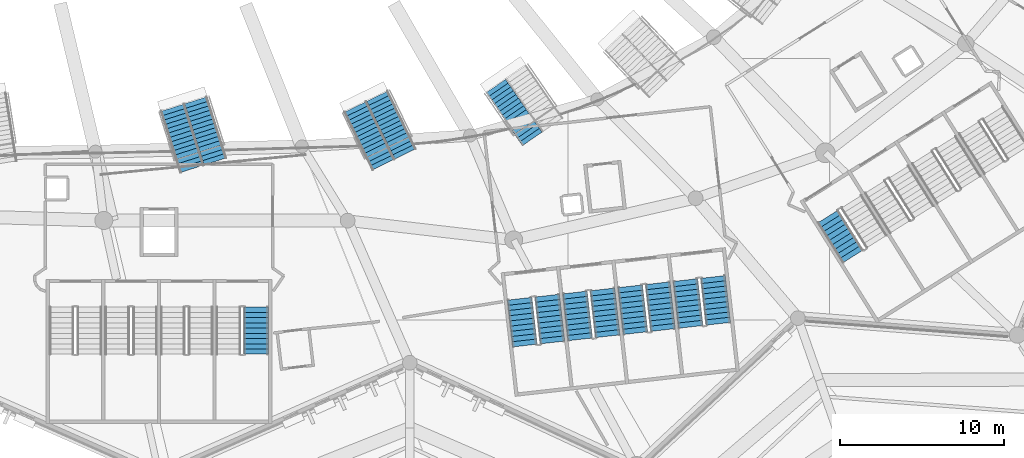
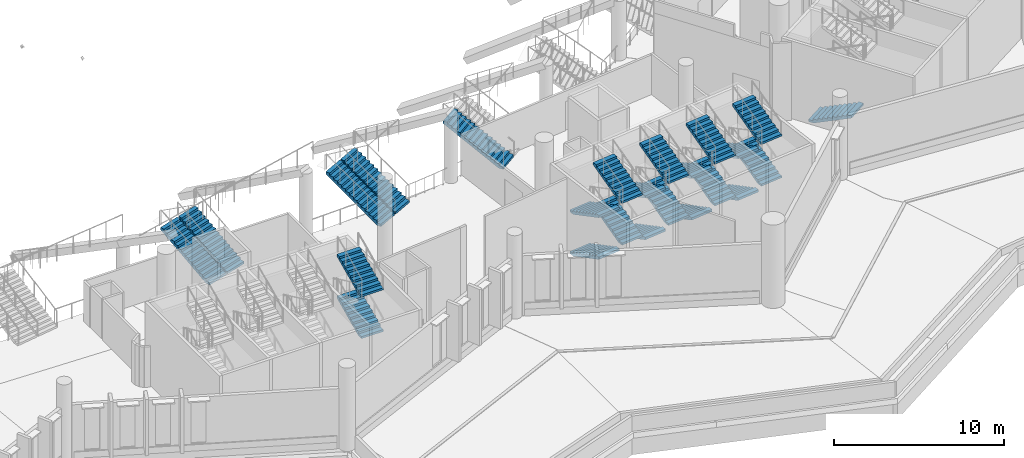
# One storey, part 87 of 173: 24 stair flights, 9 elements without a shape of their own.
"""IFC4 building model written with IfcOpenShell, lengths in metres."""

import ifcopenshell
import ifcopenshell.guid

model = None  # the IFC model being written
_history = None  # IfcOwnerHistory: only IFC2X3 demands one
_inside = {}  # id of a spatial element -> (the spatial element, [elements in it])
_under = {}  # id of a project, library or spatial element -> (it, [spatial elements below it])
_declared = {}  # id of a project -> (the project, [libraries it declares])
_typed = {}  # id of a type object -> (the type object, [elements of that type])
_made_of = {}  # id of a material, layer set ... -> (it, [elements and type objects made of it])


def new_model(schema):
    """Start an empty IFC model of exactly this schema.

    Asked for "IFC4X3", IfcOpenShell would pick the latest addendum, in which some entities
    have other attributes; the version numbers below select the first issue.
    IFC2X3 requires an IfcOwnerHistory on every rooted entity: one is made here for all.
    """
    global model, _history
    if schema == "IFC4X3":
        model = ifcopenshell.file(schema_version=(4, 3, 0, 0))
    else:
        model = ifcopenshell.file(schema=schema)
    _inside.clear()
    _under.clear()
    _declared.clear()
    _typed.clear()
    _made_of.clear()
    _history = None
    if model.schema == "IFC2X3":
        org = make("IfcOrganization", Name="unknown")
        user = make(
            "IfcPersonAndOrganization",
            ThePerson=make("IfcPerson", FamilyName="unknown"),
            TheOrganization=org,
        )
        app = make(
            "IfcApplication",
            ApplicationDeveloper=org,
            Version="unknown",
            ApplicationFullName="unknown",
            ApplicationIdentifier="unknown",
        )
        _history = make(
            "IfcOwnerHistory",
            OwningUser=user,
            OwningApplication=app,
            ChangeAction="ADDED",
            CreationDate=0,
        )
    return model


def make(cls, **values):
    """One entity of the class cls with the attributes given. An attribute that is None is left unset."""
    return model.create_entity(
        cls, **{name: value for name, value in values.items() if value is not None}
    )


def rooted(cls, **values):
    """An entity with a GlobalId (a new one), such as an element, a storey or a relation."""
    return make(cls, GlobalId=ifcopenshell.guid.new(), OwnerHistory=_history, **values)


def si_unit(unit_type, name, prefix=None):
    """IfcSIUnit, for example si_unit("LENGTHUNIT", "METRE", prefix="MILLI")."""
    return make("IfcSIUnit", UnitType=unit_type, Prefix=prefix, Name=name)


def assignment(units):
    """IfcUnitAssignment: the units of a project."""
    return None if units is None else make("IfcUnitAssignment", Units=units)


def point(xyz):
    """IfcCartesianPoint."""
    return None if xyz is None else make("IfcCartesianPoint", Coordinates=xyz)


def direction(xyz):
    """IfcDirection."""
    return None if xyz is None else make("IfcDirection", DirectionRatios=xyz)


def frame(location, z_axis=None, x_axis=None):
    """IfcAxis2Placement3D, a coordinate frame: its origin and axes. An axis left out is left unset."""
    return make(
        "IfcAxis2Placement3D",
        Location=point(location),
        Axis=direction(z_axis),
        RefDirection=direction(x_axis),
    )


def origin():
    """The frame at (0, 0, 0) with its axes left unset."""
    return frame((0.0, 0.0, 0.0))


def place(relative_to, where):
    """IfcLocalPlacement: puts the frame where relative to a parent placement (None: the world)."""
    return make(
        "IfcLocalPlacement", PlacementRelTo=relative_to, RelativePlacement=where
    )


def context(
    kind, dimensions, precision=None, world=None, true_north=None, identifier=None
):
    """IfcGeometricRepresentationContext, for example the 3D "Model" context."""
    return make(
        "IfcGeometricRepresentationContext",
        ContextIdentifier=identifier,
        ContextType=kind,
        CoordinateSpaceDimension=dimensions,
        Precision=precision,
        WorldCoordinateSystem=world,
        TrueNorth=true_north,
    )


def subcontext(parent, identifier, kind, view, scale=None):
    """IfcGeometricRepresentationSubContext, for example "Body" below "Model"."""
    return make(
        "IfcGeometricRepresentationSubContext",
        ContextIdentifier=identifier,
        ContextType=kind,
        ParentContext=parent,
        TargetScale=scale,
        TargetView=view,
    )


def project(units=None, contexts=None):
    """IfcProject with its units and contexts."""
    return rooted(
        "IfcProject",
        Name="project",
        RepresentationContexts=contexts,
        UnitsInContext=assignment(units),
    )


def spatial(cls, under=None, at=None, **own):
    """A site, building, storey or space (cls), placed at a placement, below another one or the project."""
    s = rooted(cls, ObjectPlacement=at, **own)
    if under is not None:
        _under.setdefault(under.id(), (under, []))[1].append(s)
    return s


def polyline(points):
    """IfcPolyline through the points."""
    return make("IfcPolyline", Points=[point(p) for p in points])


def outline(outer, holes=None, kind="AREA"):
    """IfcArbitraryClosedProfileDef: a profile drawn as a closed curve; with holes, ...WithVoids."""
    if holes is None:
        return make("IfcArbitraryClosedProfileDef", ProfileType=kind, OuterCurve=outer)
    return make(
        "IfcArbitraryProfileDefWithVoids",
        ProfileType=kind,
        OuterCurve=outer,
        InnerCurves=holes,
    )


def extrude(swept, where, along, depth):
    """IfcExtrudedAreaSolid: the profile swept, set in the frame where, extruded along a direction by depth."""
    return make(
        "IfcExtrudedAreaSolid",
        SweptArea=swept,
        Position=where,
        ExtrudedDirection=direction(along),
        Depth=depth,
    )


def shape(context_of_items, identifier, shape_type, items):
    """IfcShapeRepresentation: the items that make up one representation, for example the "Body"."""
    return make(
        "IfcShapeRepresentation",
        ContextOfItems=context_of_items,
        RepresentationIdentifier=identifier,
        RepresentationType=shape_type,
        Items=items,
    )


def material(Name=None, Category=None):
    """IfcMaterial."""
    return make("IfcMaterial", Name=Name, Category=Category)


def made_of(thing, what):
    """Note that an element or type object is made of a material, layer set ...; save() writes the relation."""
    if what is not None:
        _made_of.setdefault(what.id(), (what, []))[1].append(thing)
    return thing


def type_object(cls, material=None, **own):
    """A type object (cls), such as IfcWallType, which elements share."""
    return made_of(rooted(cls, **own), material)


def element(
    cls,
    number,
    at=None,
    inside=None,
    cuts=None,
    type_object=None,
    material=None,
    context=None,
    identifier="Body",
    shape_type=None,
    held_by="IfcProductDefinitionShape",
    body=None,
    shapes=None,
    **own,
):
    """One element of the class cls, such as IfcWall. Its Tag is "e" and its number.

    at: its placement. inside: the storey or other place that contains it. cuts: it is an
    opening in that element (IfcRelVoidsElement). A single representation is given by context,
    identifier, shape_type and body (its items); several are given by shapes. held_by: the class
    of the entity that holds the representations. save() writes the other relations.
    """
    e = rooted(cls, Tag="e%d" % number, ObjectPlacement=at, **own)
    if body is not None:
        shapes = [shape(context, identifier, shape_type, body)]
    if shapes is not None:
        e.Representation = make(held_by, Representations=shapes)
    if inside is not None:
        _inside.setdefault(inside.id(), (inside, []))[1].append(e)
    if cuts is not None:
        rooted(
            "IfcRelVoidsElement", RelatingBuildingElement=cuts, RelatedOpeningElement=e
        )
    if type_object is not None:
        _typed.setdefault(type_object.id(), (type_object, []))[1].append(e)
    return made_of(e, material)


def aggregate(whole, parts):
    """IfcRelAggregates: a whole, such as a stair, and the parts it consists of."""
    return rooted("IfcRelAggregates", RelatingObject=whole, RelatedObjects=parts)


def save(model, path):
    """Write the relations noted so far, then the file.

    IfcRelAggregates (storeys below a building ...), IfcRelContainedInSpatialStructure (elements
    in a storey), IfcRelDefinesByType, IfcRelAssociatesMaterial and IfcRelDeclares: one each for
    every whole, place, type object, material and project.
    """
    for whole, parts in _under.values():
        aggregate(whole, parts)
    for where, things in _inside.values():
        rooted(
            "IfcRelContainedInSpatialStructure",
            RelatedElements=things,
            RelatingStructure=where,
        )
    for kind, things in _typed.values():
        rooted("IfcRelDefinesByType", RelatedObjects=things, RelatingType=kind)
    for what, things in _made_of.values():
        rooted("IfcRelAssociatesMaterial", RelatedObjects=things, RelatingMaterial=what)
    for by, libraries in _declared.values():
        rooted("IfcRelDeclares", RelatingContext=by, RelatedDefinitions=libraries)
    model.write(path)


model = new_model("IFC4")

# Units and contexts
model_context = context("Model", 3, precision=1e-05, world=origin(), true_north=direction((0.0, 1.0)))
body_context = subcontext(model_context, "Body", "Model", "MODEL_VIEW")
ifc_project = project(units=[si_unit("LENGTHUNIT", "METRE"), si_unit("AREAUNIT", "SQUARE_METRE"), si_unit("VOLUMEUNIT", "CUBIC_METRE"), si_unit("PLANEANGLEUNIT", "RADIAN"), si_unit("MASSUNIT", "GRAM", prefix="KILO")], contexts=[model_context])

# Site, building, storey
site_placement = place(None, origin())
site = spatial("IfcSite", under=ifc_project, at=site_placement, CompositionType="ELEMENT")
building_placement = place(site_placement, origin())
building = spatial("IfcBuilding", under=site, at=building_placement, Name="Meseta Stadium", CompositionType="ELEMENT")
storey_placement = place(building_placement, frame((0.0, 0.0, 18.0)))
storey = spatial("IfcBuildingStorey", under=building, at=storey_placement, Name="L03", CompositionType="ELEMENT", Elevation=18.0)

# Stair, stair flights
ifc_material_1 = material(Name="Concrete C40/50", Category="concrete")
stair_type_1 = type_object("IfcStairType", Name="Exit stair 4 flights 150 mm risers", PredefinedType="HALF_TURN_STAIR", material=ifc_material_1)
stair_1_placement = place(storey_placement, origin())
stair_1 = element("IfcStair", 1, at=stair_1_placement, inside=storey, type_object=stair_type_1, Name="ST100 L03", PredefinedType="HALF_TURN_STAIR")
ifc_material_2 = material(Name="Concrete C40/50", Category="concrete")
stair_flight_type_1 = type_object("IfcStairFlightType", Name="Exit stair flight 150 mm risers, 4 per storey", PredefinedType="STRAIGHT", material=ifc_material_2)
stair_flight_1_placement = place(storey_placement, frame((28.949951171875, -98.080078125, 1.5), z_axis=(0.0, 0.0, 1.0), x_axis=(0.0, 1.0, 0.0)))
stair_flight_1 = element("IfcStairFlight", 2, at=stair_flight_1_placement, type_object=stair_flight_type_1, Name="ST100 L03 flight 2", NumberOfRisers=10, NumberOfTreads=9, PredefinedType="STRAIGHT", RiserHeight=0.15, TreadLength=0.32, context=body_context, shape_type="SweptSolid", body=[
    extrude(outline(polyline([(0.0, 0.0), (0.0, 0.14990234375), (0.320068359375, 0.14990234375), (0.320068359375, 0.300048828125), (0.639892578125, 0.300048828125), (0.639892578125, 0.449951171875), (0.9599609375, 0.449951171875), (0.9599609375, 0.60009765625), (1.280029296875, 0.60009765625), (1.280029296875, 0.75), (1.60009765625, 0.75), (1.60009765625, 0.89990234375), (1.919921875, 0.89990234375), (1.919921875, 1.050048828125), (2.239990234375, 1.050048828125), (2.239990234375, 1.199951171875), (2.56005859375, 1.199951171875), (2.56005859375, 1.35009765625), (2.8798828125, 1.35009765625), (2.8798828125, 1.184326171875), (0.353271484375, 0.0), (0.0, 0.0)])), frame((0.0, 0.75, 0.0), z_axis=(0.0, -1.0, 0.0), x_axis=(1.0, 0.0, 0.0)), (0.0, 0.0, 1.0), 1.5),
])
stair_flight_2_placement = place(storey_placement, frame((28.949951171875, -98.080078125, 4.5), z_axis=(0.0, 0.0, 1.0), x_axis=(0.0, 1.0, 0.0)))
stair_flight_2 = element("IfcStairFlight", 3, at=stair_flight_2_placement, type_object=stair_flight_type_1, Name="ST100 L03 flight 4", NumberOfRisers=10, NumberOfTreads=9, PredefinedType="STRAIGHT", RiserHeight=0.15, TreadLength=0.32, context=body_context, shape_type="SweptSolid", body=[
    extrude(outline(polyline([(0.0, 0.0), (0.0, 0.14990234375), (0.320068359375, 0.14990234375), (0.320068359375, 0.300048828125), (0.639892578125, 0.300048828125), (0.639892578125, 0.449951171875), (0.9599609375, 0.449951171875), (0.9599609375, 0.60009765625), (1.280029296875, 0.60009765625), (1.280029296875, 0.75), (1.60009765625, 0.75), (1.60009765625, 0.89990234375), (1.919921875, 0.89990234375), (1.919921875, 1.050048828125), (2.239990234375, 1.050048828125), (2.239990234375, 1.199951171875), (2.56005859375, 1.199951171875), (2.56005859375, 1.35009765625), (2.8798828125, 1.35009765625), (2.8798828125, 1.184326171875), (0.353271484375, 0.0), (0.0, 0.0)])), frame((0.0, 0.75, 0.0), z_axis=(0.0, -1.0, 0.0), x_axis=(1.0, 0.0, 0.0)), (0.0, 0.0, 1.0), 1.5),
])
aggregate(stair_1, [stair_flight_1, stair_flight_2])

stair_2_placement = place(storey_placement, origin())
stair_2 = element("IfcStair", 4, at=stair_2_placement, inside=storey, type_object=stair_type_1, Name="ST101 L03", PredefinedType="HALF_TURN_STAIR")
stair_flight_3_placement = place(storey_placement, frame((45.04736328125, -94.687744140625, 0.0), z_axis=(0.0, 0.0, 1.0), x_axis=(0.11196446867, -0.993712210731, 0.0)))
stair_flight_3 = element("IfcStairFlight", 5, at=stair_flight_3_placement, type_object=stair_flight_type_1, Name="ST101 L03 flight 1", NumberOfRisers=10, NumberOfTreads=9, PredefinedType="STRAIGHT", RiserHeight=0.15, TreadLength=0.32, context=body_context, shape_type="SweptSolid", body=[
    extrude(outline(polyline([(0.0, 0.0), (0.0, 0.14990234375), (0.320068359375, 0.14990234375), (0.320068359375, 0.300048828125), (0.639892578125, 0.300048828125), (0.639892578125, 0.449951171875), (0.9599609375, 0.449951171875), (0.9599609375, 0.60009765625), (1.280029296875, 0.60009765625), (1.280029296875, 0.75), (1.60009765625, 0.75), (1.60009765625, 0.89990234375), (1.919921875, 0.89990234375), (1.919921875, 1.050048828125), (2.239990234375, 1.050048828125), (2.239990234375, 1.199951171875), (2.56005859375, 1.199951171875), (2.56005859375, 1.35009765625), (2.8798828125, 1.35009765625), (2.8798828125, 1.184326171875), (0.353271484375, 0.0), (0.0, 0.0)])), frame((0.0, 0.75, 0.0), z_axis=(0.0, -1.0, 0.0), x_axis=(1.0, 0.0, 0.0)), (0.0, 0.0, 1.0), 1.5),
])
stair_flight_4_placement = place(storey_placement, frame((47.059326171875, -97.359130859375, 1.5), z_axis=(0.0, 0.0, 1.0), x_axis=(-0.11196446867, 0.993712210731, 0.0)))
stair_flight_4 = element("IfcStairFlight", 6, at=stair_flight_4_placement, type_object=stair_flight_type_1, Name="ST101 L03 flight 2", NumberOfRisers=10, NumberOfTreads=9, PredefinedType="STRAIGHT", RiserHeight=0.15, TreadLength=0.32, context=body_context, shape_type="SweptSolid", body=[
    extrude(outline(polyline([(0.0, 0.0), (0.0, 0.14990234375), (0.320068359375, 0.14990234375), (0.320068359375, 0.300048828125), (0.639892578125, 0.300048828125), (0.639892578125, 0.449951171875), (0.9599609375, 0.449951171875), (0.9599609375, 0.60009765625), (1.280029296875, 0.60009765625), (1.280029296875, 0.75), (1.60009765625, 0.75), (1.60009765625, 0.89990234375), (1.919921875, 0.89990234375), (1.919921875, 1.050048828125), (2.239990234375, 1.050048828125), (2.239990234375, 1.199951171875), (2.56005859375, 1.199951171875), (2.56005859375, 1.35009765625), (2.8798828125, 1.35009765625), (2.8798828125, 1.184326171875), (0.353271484375, 0.0), (0.0, 0.0)])), frame((0.0, 0.75, 0.0), z_axis=(0.0, -1.0, 0.0), x_axis=(1.0, 0.0, 0.0)), (0.0, 0.0, 1.0), 1.5),
])
stair_flight_5_placement = place(storey_placement, frame((45.04736328125, -94.687744140625, 3.0), z_axis=(0.0, 0.0, 1.0), x_axis=(0.11196446867, -0.993712210731, 0.0)))
stair_flight_5 = element("IfcStairFlight", 7, at=stair_flight_5_placement, type_object=stair_flight_type_1, Name="ST101 L03 flight 3", NumberOfRisers=10, NumberOfTreads=9, PredefinedType="STRAIGHT", RiserHeight=0.15, TreadLength=0.32, context=body_context, shape_type="SweptSolid", body=[
    extrude(outline(polyline([(0.0, 0.0), (0.0, 0.14990234375), (0.320068359375, 0.14990234375), (0.320068359375, 0.300048828125), (0.639892578125, 0.300048828125), (0.639892578125, 0.449951171875), (0.9599609375, 0.449951171875), (0.9599609375, 0.60009765625), (1.280029296875, 0.60009765625), (1.280029296875, 0.75), (1.60009765625, 0.75), (1.60009765625, 0.89990234375), (1.919921875, 0.89990234375), (1.919921875, 1.050048828125), (2.239990234375, 1.050048828125), (2.239990234375, 1.199951171875), (2.56005859375, 1.199951171875), (2.56005859375, 1.35009765625), (2.8798828125, 1.35009765625), (2.8798828125, 1.184326171875), (0.353271484375, 0.0), (0.0, 0.0)])), frame((0.0, 0.75, 0.0), z_axis=(0.0, -1.0, 0.0), x_axis=(1.0, 0.0, 0.0)), (0.0, 0.0, 1.0), 1.5),
])
stair_flight_6_placement = place(storey_placement, frame((47.059326171875, -97.359130859375, 4.5), z_axis=(0.0, 0.0, 1.0), x_axis=(-0.11196446867, 0.993712210731, 0.0)))
stair_flight_6 = element("IfcStairFlight", 8, at=stair_flight_6_placement, type_object=stair_flight_type_1, Name="ST101 L03 flight 4", NumberOfRisers=10, NumberOfTreads=9, PredefinedType="STRAIGHT", RiserHeight=0.15, TreadLength=0.32, context=body_context, shape_type="SweptSolid", body=[
    extrude(outline(polyline([(0.0, 0.0), (0.0, 0.14990234375), (0.320068359375, 0.14990234375), (0.320068359375, 0.300048828125), (0.639892578125, 0.300048828125), (0.639892578125, 0.449951171875), (0.9599609375, 0.449951171875), (0.9599609375, 0.60009765625), (1.280029296875, 0.60009765625), (1.280029296875, 0.75), (1.60009765625, 0.75), (1.60009765625, 0.89990234375), (1.919921875, 0.89990234375), (1.919921875, 1.050048828125), (2.239990234375, 1.050048828125), (2.239990234375, 1.199951171875), (2.56005859375, 1.199951171875), (2.56005859375, 1.35009765625), (2.8798828125, 1.35009765625), (2.8798828125, 1.184326171875), (0.353271484375, 0.0), (0.0, 0.0)])), frame((0.0, 0.75, 0.0), z_axis=(0.0, -1.0, 0.0), x_axis=(1.0, 0.0, 0.0)), (0.0, 0.0, 1.0), 1.5),
])
aggregate(stair_2, [stair_flight_3, stair_flight_4, stair_flight_5, stair_flight_6])

stair_3_placement = place(storey_placement, origin())
stair_3 = element("IfcStair", 9, at=stair_3_placement, inside=storey, type_object=stair_type_1, Name="ST102 L03", PredefinedType="HALF_TURN_STAIR")
stair_flight_7_placement = place(storey_placement, frame((48.426025390625, -94.306884765625, 0.0), z_axis=(0.0, 0.0, 1.0), x_axis=(0.11196446867, -0.993712210731, 0.0)))
stair_flight_7 = element("IfcStairFlight", 10, at=stair_flight_7_placement, type_object=stair_flight_type_1, Name="ST102 L03 flight 1", NumberOfRisers=10, NumberOfTreads=9, PredefinedType="STRAIGHT", RiserHeight=0.15, TreadLength=0.32, context=body_context, shape_type="SweptSolid", body=[
    extrude(outline(polyline([(0.0, 0.0), (0.0, 0.14990234375), (0.320068359375, 0.14990234375), (0.320068359375, 0.300048828125), (0.639892578125, 0.300048828125), (0.639892578125, 0.449951171875), (0.9599609375, 0.449951171875), (0.9599609375, 0.60009765625), (1.280029296875, 0.60009765625), (1.280029296875, 0.75), (1.60009765625, 0.75), (1.60009765625, 0.89990234375), (1.919921875, 0.89990234375), (1.919921875, 1.050048828125), (2.239990234375, 1.050048828125), (2.239990234375, 1.199951171875), (2.56005859375, 1.199951171875), (2.56005859375, 1.35009765625), (2.8798828125, 1.35009765625), (2.8798828125, 1.184326171875), (0.353271484375, 0.0), (0.0, 0.0)])), frame((0.0, 0.75, 0.0), z_axis=(0.0, -1.0, 0.0), x_axis=(1.0, 0.0, 0.0)), (0.0, 0.0, 1.0), 1.5),
])
stair_flight_8_placement = place(storey_placement, frame((50.437744140625, -96.978515625, 1.5), z_axis=(0.0, 0.0, 1.0), x_axis=(-0.11196446867, 0.993712210731, 0.0)))
stair_flight_8 = element("IfcStairFlight", 11, at=stair_flight_8_placement, type_object=stair_flight_type_1, Name="ST102 L03 flight 2", NumberOfRisers=10, NumberOfTreads=9, PredefinedType="STRAIGHT", RiserHeight=0.15, TreadLength=0.32, context=body_context, shape_type="SweptSolid", body=[
    extrude(outline(polyline([(0.0, 0.0), (0.0, 0.14990234375), (0.320068359375, 0.14990234375), (0.320068359375, 0.300048828125), (0.639892578125, 0.300048828125), (0.639892578125, 0.449951171875), (0.9599609375, 0.449951171875), (0.9599609375, 0.60009765625), (1.280029296875, 0.60009765625), (1.280029296875, 0.75), (1.60009765625, 0.75), (1.60009765625, 0.89990234375), (1.919921875, 0.89990234375), (1.919921875, 1.050048828125), (2.239990234375, 1.050048828125), (2.239990234375, 1.199951171875), (2.56005859375, 1.199951171875), (2.56005859375, 1.35009765625), (2.8798828125, 1.35009765625), (2.8798828125, 1.184326171875), (0.353271484375, 0.0), (0.0, 0.0)])), frame((0.0, 0.75, 0.0), z_axis=(0.0, -1.0, 0.0), x_axis=(1.0, 0.0, 0.0)), (0.0, 0.0, 1.0), 1.5),
])
stair_flight_9_placement = place(storey_placement, frame((48.426025390625, -94.306884765625, 3.0), z_axis=(0.0, 0.0, 1.0), x_axis=(0.11196446867, -0.993712210731, 0.0)))
stair_flight_9 = element("IfcStairFlight", 12, at=stair_flight_9_placement, type_object=stair_flight_type_1, Name="ST102 L03 flight 3", NumberOfRisers=10, NumberOfTreads=9, PredefinedType="STRAIGHT", RiserHeight=0.15, TreadLength=0.32, context=body_context, shape_type="SweptSolid", body=[
    extrude(outline(polyline([(0.0, 0.0), (0.0, 0.14990234375), (0.320068359375, 0.14990234375), (0.320068359375, 0.300048828125), (0.639892578125, 0.300048828125), (0.639892578125, 0.449951171875), (0.9599609375, 0.449951171875), (0.9599609375, 0.60009765625), (1.280029296875, 0.60009765625), (1.280029296875, 0.75), (1.60009765625, 0.75), (1.60009765625, 0.89990234375), (1.919921875, 0.89990234375), (1.919921875, 1.050048828125), (2.239990234375, 1.050048828125), (2.239990234375, 1.199951171875), (2.56005859375, 1.199951171875), (2.56005859375, 1.35009765625), (2.8798828125, 1.35009765625), (2.8798828125, 1.184326171875), (0.353271484375, 0.0), (0.0, 0.0)])), frame((0.0, 0.75, 0.0), z_axis=(0.0, -1.0, 0.0), x_axis=(1.0, 0.0, 0.0)), (0.0, 0.0, 1.0), 1.5),
])
stair_flight_10_placement = place(storey_placement, frame((50.437744140625, -96.978515625, 4.5), z_axis=(0.0, 0.0, 1.0), x_axis=(-0.11196446867, 0.993712210731, 0.0)))
stair_flight_10 = element("IfcStairFlight", 13, at=stair_flight_10_placement, type_object=stair_flight_type_1, Name="ST102 L03 flight 4", NumberOfRisers=10, NumberOfTreads=9, PredefinedType="STRAIGHT", RiserHeight=0.15, TreadLength=0.32, context=body_context, shape_type="SweptSolid", body=[
    extrude(outline(polyline([(0.0, 0.0), (0.0, 0.14990234375), (0.320068359375, 0.14990234375), (0.320068359375, 0.300048828125), (0.639892578125, 0.300048828125), (0.639892578125, 0.449951171875), (0.9599609375, 0.449951171875), (0.9599609375, 0.60009765625), (1.280029296875, 0.60009765625), (1.280029296875, 0.75), (1.60009765625, 0.75), (1.60009765625, 0.89990234375), (1.919921875, 0.89990234375), (1.919921875, 1.050048828125), (2.239990234375, 1.050048828125), (2.239990234375, 1.199951171875), (2.56005859375, 1.199951171875), (2.56005859375, 1.35009765625), (2.8798828125, 1.35009765625), (2.8798828125, 1.184326171875), (0.353271484375, 0.0), (0.0, 0.0)])), frame((0.0, 0.75, 0.0), z_axis=(0.0, -1.0, 0.0), x_axis=(1.0, 0.0, 0.0)), (0.0, 0.0, 1.0), 1.5),
])
aggregate(stair_3, [stair_flight_7, stair_flight_8, stair_flight_9, stair_flight_10])

stair_4_placement = place(storey_placement, origin())
stair_4 = element("IfcStair", 14, at=stair_4_placement, inside=storey, type_object=stair_type_1, Name="ST103 L03", PredefinedType="HALF_TURN_STAIR")
stair_flight_11_placement = place(storey_placement, frame((51.8046875, -93.92626953125, 0.0), z_axis=(0.0, 0.0, 1.0), x_axis=(0.11196446867, -0.993712210731, 0.0)))
stair_flight_11 = element("IfcStairFlight", 15, at=stair_flight_11_placement, type_object=stair_flight_type_1, Name="ST103 L03 flight 1", NumberOfRisers=10, NumberOfTreads=9, PredefinedType="STRAIGHT", RiserHeight=0.15, TreadLength=0.32, context=body_context, shape_type="SweptSolid", body=[
    extrude(outline(polyline([(0.0, 0.0), (0.0, 0.14990234375), (0.320068359375, 0.14990234375), (0.320068359375, 0.300048828125), (0.639892578125, 0.300048828125), (0.639892578125, 0.449951171875), (0.9599609375, 0.449951171875), (0.9599609375, 0.60009765625), (1.280029296875, 0.60009765625), (1.280029296875, 0.75), (1.60009765625, 0.75), (1.60009765625, 0.89990234375), (1.919921875, 0.89990234375), (1.919921875, 1.050048828125), (2.239990234375, 1.050048828125), (2.239990234375, 1.199951171875), (2.56005859375, 1.199951171875), (2.56005859375, 1.35009765625), (2.8798828125, 1.35009765625), (2.8798828125, 1.184326171875), (0.353271484375, 0.0), (0.0, 0.0)])), frame((0.0, 0.75, 0.0), z_axis=(0.0, -1.0, 0.0), x_axis=(1.0, 0.0, 0.0)), (0.0, 0.0, 1.0), 1.5),
])
stair_flight_12_placement = place(storey_placement, frame((53.81640625, -96.597900390625, 1.5), z_axis=(0.0, 0.0, 1.0), x_axis=(-0.11196446867, 0.993712210731, 0.0)))
stair_flight_12 = element("IfcStairFlight", 16, at=stair_flight_12_placement, type_object=stair_flight_type_1, Name="ST103 L03 flight 2", NumberOfRisers=10, NumberOfTreads=9, PredefinedType="STRAIGHT", RiserHeight=0.15, TreadLength=0.32, context=body_context, shape_type="SweptSolid", body=[
    extrude(outline(polyline([(0.0, 0.0), (0.0, 0.14990234375), (0.320068359375, 0.14990234375), (0.320068359375, 0.300048828125), (0.639892578125, 0.300048828125), (0.639892578125, 0.449951171875), (0.9599609375, 0.449951171875), (0.9599609375, 0.60009765625), (1.280029296875, 0.60009765625), (1.280029296875, 0.75), (1.60009765625, 0.75), (1.60009765625, 0.89990234375), (1.919921875, 0.89990234375), (1.919921875, 1.050048828125), (2.239990234375, 1.050048828125), (2.239990234375, 1.199951171875), (2.56005859375, 1.199951171875), (2.56005859375, 1.35009765625), (2.8798828125, 1.35009765625), (2.8798828125, 1.184326171875), (0.353271484375, 0.0), (0.0, 0.0)])), frame((0.0, 0.75, 0.0), z_axis=(0.0, -1.0, 0.0), x_axis=(1.0, 0.0, 0.0)), (0.0, 0.0, 1.0), 1.5),
])
stair_flight_13_placement = place(storey_placement, frame((51.8046875, -93.92626953125, 3.0), z_axis=(0.0, 0.0, 1.0), x_axis=(0.11196446867, -0.993712210731, 0.0)))
stair_flight_13 = element("IfcStairFlight", 17, at=stair_flight_13_placement, type_object=stair_flight_type_1, Name="ST103 L03 flight 3", NumberOfRisers=10, NumberOfTreads=9, PredefinedType="STRAIGHT", RiserHeight=0.15, TreadLength=0.32, context=body_context, shape_type="SweptSolid", body=[
    extrude(outline(polyline([(0.0, 0.0), (0.0, 0.14990234375), (0.320068359375, 0.14990234375), (0.320068359375, 0.300048828125), (0.639892578125, 0.300048828125), (0.639892578125, 0.449951171875), (0.9599609375, 0.449951171875), (0.9599609375, 0.60009765625), (1.280029296875, 0.60009765625), (1.280029296875, 0.75), (1.60009765625, 0.75), (1.60009765625, 0.89990234375), (1.919921875, 0.89990234375), (1.919921875, 1.050048828125), (2.239990234375, 1.050048828125), (2.239990234375, 1.199951171875), (2.56005859375, 1.199951171875), (2.56005859375, 1.35009765625), (2.8798828125, 1.35009765625), (2.8798828125, 1.184326171875), (0.353271484375, 0.0), (0.0, 0.0)])), frame((0.0, 0.75, 0.0), z_axis=(0.0, -1.0, 0.0), x_axis=(1.0, 0.0, 0.0)), (0.0, 0.0, 1.0), 1.5),
])
stair_flight_14_placement = place(storey_placement, frame((53.81640625, -96.597900390625, 4.5), z_axis=(0.0, 0.0, 1.0), x_axis=(-0.11196446867, 0.993712210731, 0.0)))
stair_flight_14 = element("IfcStairFlight", 18, at=stair_flight_14_placement, type_object=stair_flight_type_1, Name="ST103 L03 flight 4", NumberOfRisers=10, NumberOfTreads=9, PredefinedType="STRAIGHT", RiserHeight=0.15, TreadLength=0.32, context=body_context, shape_type="SweptSolid", body=[
    extrude(outline(polyline([(0.0, 0.0), (0.0, 0.14990234375), (0.320068359375, 0.14990234375), (0.320068359375, 0.300048828125), (0.639892578125, 0.300048828125), (0.639892578125, 0.449951171875), (0.9599609375, 0.449951171875), (0.9599609375, 0.60009765625), (1.280029296875, 0.60009765625), (1.280029296875, 0.75), (1.60009765625, 0.75), (1.60009765625, 0.89990234375), (1.919921875, 0.89990234375), (1.919921875, 1.050048828125), (2.239990234375, 1.050048828125), (2.239990234375, 1.199951171875), (2.56005859375, 1.199951171875), (2.56005859375, 1.35009765625), (2.8798828125, 1.35009765625), (2.8798828125, 1.184326171875), (0.353271484375, 0.0), (0.0, 0.0)])), frame((0.0, 0.75, 0.0), z_axis=(0.0, -1.0, 0.0), x_axis=(1.0, 0.0, 0.0)), (0.0, 0.0, 1.0), 1.5),
])
aggregate(stair_4, [stair_flight_11, stair_flight_12, stair_flight_13, stair_flight_14])

stair_5_placement = place(storey_placement, origin())
stair_5 = element("IfcStair", 19, at=stair_5_placement, inside=storey, type_object=stair_type_1, Name="ST104 L03", PredefinedType="HALF_TURN_STAIR")
stair_flight_15_placement = place(storey_placement, frame((55.183349609375, -93.545654296875, 0.0), z_axis=(0.0, 0.0, 1.0), x_axis=(0.11196446867, -0.993712210731, 0.0)))
stair_flight_15 = element("IfcStairFlight", 20, at=stair_flight_15_placement, type_object=stair_flight_type_1, Name="ST104 L03 flight 1", NumberOfRisers=10, NumberOfTreads=9, PredefinedType="STRAIGHT", RiserHeight=0.15, TreadLength=0.32, context=body_context, shape_type="SweptSolid", body=[
    extrude(outline(polyline([(0.0, 0.0), (0.0, 0.14990234375), (0.320068359375, 0.14990234375), (0.320068359375, 0.300048828125), (0.639892578125, 0.300048828125), (0.639892578125, 0.449951171875), (0.9599609375, 0.449951171875), (0.9599609375, 0.60009765625), (1.280029296875, 0.60009765625), (1.280029296875, 0.75), (1.60009765625, 0.75), (1.60009765625, 0.89990234375), (1.919921875, 0.89990234375), (1.919921875, 1.050048828125), (2.239990234375, 1.050048828125), (2.239990234375, 1.199951171875), (2.56005859375, 1.199951171875), (2.56005859375, 1.35009765625), (2.8798828125, 1.35009765625), (2.8798828125, 1.184326171875), (0.353271484375, 0.0), (0.0, 0.0)])), frame((0.0, 0.75, 0.0), z_axis=(0.0, -1.0, 0.0), x_axis=(1.0, 0.0, 0.0)), (0.0, 0.0, 1.0), 1.5),
])
stair_flight_16_placement = place(storey_placement, frame((57.195068359375, -96.217041015625, 1.5), z_axis=(0.0, 0.0, 1.0), x_axis=(-0.11196446867, 0.993712210731, 0.0)))
stair_flight_16 = element("IfcStairFlight", 21, at=stair_flight_16_placement, type_object=stair_flight_type_1, Name="ST104 L03 flight 2", NumberOfRisers=10, NumberOfTreads=9, PredefinedType="STRAIGHT", RiserHeight=0.15, TreadLength=0.32, context=body_context, shape_type="SweptSolid", body=[
    extrude(outline(polyline([(0.0, 0.0), (0.0, 0.14990234375), (0.320068359375, 0.14990234375), (0.320068359375, 0.300048828125), (0.639892578125, 0.300048828125), (0.639892578125, 0.449951171875), (0.9599609375, 0.449951171875), (0.9599609375, 0.60009765625), (1.280029296875, 0.60009765625), (1.280029296875, 0.75), (1.60009765625, 0.75), (1.60009765625, 0.89990234375), (1.919921875, 0.89990234375), (1.919921875, 1.050048828125), (2.239990234375, 1.050048828125), (2.239990234375, 1.199951171875), (2.56005859375, 1.199951171875), (2.56005859375, 1.35009765625), (2.8798828125, 1.35009765625), (2.8798828125, 1.184326171875), (0.353271484375, 0.0), (0.0, 0.0)])), frame((0.0, 0.75, 0.0), z_axis=(0.0, -1.0, 0.0), x_axis=(1.0, 0.0, 0.0)), (0.0, 0.0, 1.0), 1.5),
])
stair_flight_17_placement = place(storey_placement, frame((55.183349609375, -93.545654296875, 3.0), z_axis=(0.0, 0.0, 1.0), x_axis=(0.11196446867, -0.993712210731, 0.0)))
stair_flight_17 = element("IfcStairFlight", 22, at=stair_flight_17_placement, type_object=stair_flight_type_1, Name="ST104 L03 flight 3", NumberOfRisers=10, NumberOfTreads=9, PredefinedType="STRAIGHT", RiserHeight=0.15, TreadLength=0.32, context=body_context, shape_type="SweptSolid", body=[
    extrude(outline(polyline([(0.0, 0.0), (0.0, 0.14990234375), (0.320068359375, 0.14990234375), (0.320068359375, 0.300048828125), (0.639892578125, 0.300048828125), (0.639892578125, 0.449951171875), (0.9599609375, 0.449951171875), (0.9599609375, 0.60009765625), (1.280029296875, 0.60009765625), (1.280029296875, 0.75), (1.60009765625, 0.75), (1.60009765625, 0.89990234375), (1.919921875, 0.89990234375), (1.919921875, 1.050048828125), (2.239990234375, 1.050048828125), (2.239990234375, 1.199951171875), (2.56005859375, 1.199951171875), (2.56005859375, 1.35009765625), (2.8798828125, 1.35009765625), (2.8798828125, 1.184326171875), (0.353271484375, 0.0), (0.0, 0.0)])), frame((0.0, 0.75, 0.0), z_axis=(0.0, -1.0, 0.0), x_axis=(1.0, 0.0, 0.0)), (0.0, 0.0, 1.0), 1.5),
])
stair_flight_18_placement = place(storey_placement, frame((57.195068359375, -96.217041015625, 4.5), z_axis=(0.0, 0.0, 1.0), x_axis=(-0.11196446867, 0.993712210731, 0.0)))
stair_flight_18 = element("IfcStairFlight", 23, at=stair_flight_18_placement, type_object=stair_flight_type_1, Name="ST104 L03 flight 4", NumberOfRisers=10, NumberOfTreads=9, PredefinedType="STRAIGHT", RiserHeight=0.15, TreadLength=0.32, context=body_context, shape_type="SweptSolid", body=[
    extrude(outline(polyline([(0.0, 0.0), (0.0, 0.14990234375), (0.320068359375, 0.14990234375), (0.320068359375, 0.300048828125), (0.639892578125, 0.300048828125), (0.639892578125, 0.449951171875), (0.9599609375, 0.449951171875), (0.9599609375, 0.60009765625), (1.280029296875, 0.60009765625), (1.280029296875, 0.75), (1.60009765625, 0.75), (1.60009765625, 0.89990234375), (1.919921875, 0.89990234375), (1.919921875, 1.050048828125), (2.239990234375, 1.050048828125), (2.239990234375, 1.199951171875), (2.56005859375, 1.199951171875), (2.56005859375, 1.35009765625), (2.8798828125, 1.35009765625), (2.8798828125, 1.184326171875), (0.353271484375, 0.0), (0.0, 0.0)])), frame((0.0, 0.75, 0.0), z_axis=(0.0, -1.0, 0.0), x_axis=(1.0, 0.0, 0.0)), (0.0, 0.0, 1.0), 1.5),
])
aggregate(stair_5, [stair_flight_15, stair_flight_16, stair_flight_17, stair_flight_18])

# Stair, stair flight
stair_6_placement = place(storey_placement, origin())
stair_6 = element("IfcStair", 24, at=stair_6_placement, inside=storey, type_object=stair_type_1, Name="ST105 L03", PredefinedType="HALF_TURN_STAIR")
stair_flight_19_placement = place(storey_placement, frame((63.892578125, -89.659423828125, 0.0), z_axis=(0.0, 0.0, 1.0), x_axis=(0.532032074404, -0.846724200555, 0.0)))
stair_flight_19 = element("IfcStairFlight", 25, at=stair_flight_19_placement, type_object=stair_flight_type_1, Name="ST105 L03 flight 1", NumberOfRisers=10, NumberOfTreads=9, PredefinedType="STRAIGHT", RiserHeight=0.15, TreadLength=0.32, context=body_context, shape_type="SweptSolid", body=[
    extrude(outline(polyline([(0.0, 0.0), (0.0, 0.14990234375), (0.320068359375, 0.14990234375), (0.320068359375, 0.300048828125), (0.639892578125, 0.300048828125), (0.639892578125, 0.449951171875), (0.9599609375, 0.449951171875), (0.9599609375, 0.60009765625), (1.280029296875, 0.60009765625), (1.280029296875, 0.75), (1.60009765625, 0.75), (1.60009765625, 0.89990234375), (1.919921875, 0.89990234375), (1.919921875, 1.050048828125), (2.239990234375, 1.050048828125), (2.239990234375, 1.199951171875), (2.56005859375, 1.199951171875), (2.56005859375, 1.35009765625), (2.8798828125, 1.35009765625), (2.8798828125, 1.184326171875), (0.353271484375, 0.0), (0.0, 0.0)])), frame((0.0, 0.75, 0.0), z_axis=(0.0, -1.0, 0.0), x_axis=(1.0, 0.0, 0.0)), (0.0, 0.0, 1.0), 1.5),
])
aggregate(stair_6, [stair_flight_19])

# Stair, stair flights
ifc_material_3 = material(Name="Concrete C40/50", Category="concrete")
stair_type_2 = type_object("IfcStairType", Name="Vomitory stair 3000", PredefinedType="STRAIGHT_RUN_STAIR", material=ifc_material_3)
stair_7_placement = place(storey_placement, origin())
stair_7 = element("IfcStair", 26, at=stair_7_placement, inside=storey, type_object=stair_type_2, Name="Vomitory V-upper-49", PredefinedType="STRAIGHT_RUN_STAIR")
ifc_material_4 = material(Name="Concrete C40/50", Category="concrete")
stair_flight_type_2 = type_object("IfcStairFlightType", Name="Vomitory stair flight 1450", PredefinedType="STRAIGHT", material=ifc_material_4)
stair_flight_20_placement = place(storey_placement, frame((24.97412109375, -86.759521484375, 0.0), z_axis=(0.0, 0.0, 1.0), x_axis=(-0.302579501013, 0.953124150133, 0.0)))
stair_flight_20 = element("IfcStairFlight", 27, at=stair_flight_20_placement, type_object=stair_flight_type_2, Name="Vomitory V-upper-49 flight 1", NumberOfRisers=15, NumberOfTreads=14, PredefinedType="STRAIGHT", RiserHeight=0.165024, TreadLength=0.28, context=body_context, shape_type="SweptSolid", body=[
    extrude(outline(polyline([(0.0, 0.0), (0.0, 0.1650390625), (0.280029296875, 0.1650390625), (0.280029296875, 0.330078125), (0.56005859375, 0.330078125), (0.56005859375, 0.4951171875), (0.840087890625, 0.4951171875), (0.840087890625, 0.66015625), (1.1201171875, 0.66015625), (1.1201171875, 0.8251953125), (1.39990234375, 0.8251953125), (1.39990234375, 0.990234375), (1.679931640625, 0.990234375), (1.679931640625, 1.1552734375), (1.9599609375, 1.1552734375), (1.9599609375, 1.3203125), (2.239990234375, 1.3203125), (2.239990234375, 1.485107421875), (2.52001953125, 1.485107421875), (2.52001953125, 1.650146484375), (2.800048828125, 1.650146484375), (2.800048828125, 1.815185546875), (3.080078125, 1.815185546875), (3.080078125, 1.980224609375), (3.360107421875, 1.980224609375), (3.360107421875, 2.145263671875), (3.639892578125, 2.145263671875), (3.639892578125, 2.310302734375), (3.919921875, 2.310302734375), (3.919921875, 2.13623046875), (0.295166015625, 0.0), (0.0, 0.0)])), frame((0.0, 0.72509765625, 0.0), z_axis=(0.0, -1.0, 0.0), x_axis=(1.0, 0.0, 0.0)), (0.0, 0.0, 1.0), 1.449951171875),
])
stair_flight_21_placement = place(storey_placement, frame((26.451416015625, -86.29052734375, 0.0), z_axis=(0.0, 0.0, 1.0), x_axis=(-0.302579501013, 0.953124150133, 0.0)))
stair_flight_21 = element("IfcStairFlight", 28, at=stair_flight_21_placement, type_object=stair_flight_type_2, Name="Vomitory V-upper-49 flight 2", NumberOfRisers=15, NumberOfTreads=14, PredefinedType="STRAIGHT", RiserHeight=0.165024, TreadLength=0.28, context=body_context, shape_type="SweptSolid", body=[
    extrude(outline(polyline([(0.0, 0.0), (0.0, 0.1650390625), (0.280029296875, 0.1650390625), (0.280029296875, 0.330078125), (0.56005859375, 0.330078125), (0.56005859375, 0.4951171875), (0.840087890625, 0.4951171875), (0.840087890625, 0.66015625), (1.1201171875, 0.66015625), (1.1201171875, 0.8251953125), (1.39990234375, 0.8251953125), (1.39990234375, 0.990234375), (1.679931640625, 0.990234375), (1.679931640625, 1.1552734375), (1.9599609375, 1.1552734375), (1.9599609375, 1.3203125), (2.239990234375, 1.3203125), (2.239990234375, 1.485107421875), (2.52001953125, 1.485107421875), (2.52001953125, 1.650146484375), (2.800048828125, 1.650146484375), (2.800048828125, 1.815185546875), (3.080078125, 1.815185546875), (3.080078125, 1.980224609375), (3.360107421875, 1.980224609375), (3.360107421875, 2.145263671875), (3.639892578125, 2.145263671875), (3.639892578125, 2.310302734375), (3.919921875, 2.310302734375), (3.919921875, 2.13623046875), (0.295166015625, 0.0), (0.0, 0.0)])), frame((0.0, 0.72509765625, 0.0), z_axis=(0.0, -1.0, 0.0), x_axis=(1.0, 0.0, 0.0)), (0.0, 0.0, 1.0), 1.449951171875),
])
aggregate(stair_7, [stair_flight_20, stair_flight_21])

stair_8_placement = place(storey_placement, origin())
stair_8 = element("IfcStair", 29, at=stair_8_placement, inside=storey, type_object=stair_type_2, Name="Vomitory V-upper-50", PredefinedType="STRAIGHT_RUN_STAIR")
stair_flight_22_placement = place(storey_placement, frame((36.678466796875, -86.50341796875, 0.0), z_axis=(0.0, 0.0, 1.0), x_axis=(-0.437966379942, 0.898991351483, 0.0)))
stair_flight_22 = element("IfcStairFlight", 30, at=stair_flight_22_placement, type_object=stair_flight_type_2, Name="Vomitory V-upper-50 flight 1", NumberOfRisers=15, NumberOfTreads=14, PredefinedType="STRAIGHT", RiserHeight=0.173281, TreadLength=0.28, context=body_context, shape_type="SweptSolid", body=[
    extrude(outline(polyline([(0.0, 0.0), (0.0, 0.17333984375), (0.280029296875, 0.17333984375), (0.280029296875, 0.3466796875), (0.56005859375, 0.3466796875), (0.56005859375, 0.519775390625), (0.840087890625, 0.519775390625), (0.840087890625, 0.693115234375), (1.1201171875, 0.693115234375), (1.1201171875, 0.866455078125), (1.39990234375, 0.866455078125), (1.39990234375, 1.039794921875), (1.679931640625, 1.039794921875), (1.679931640625, 1.212890625), (1.9599609375, 1.212890625), (1.9599609375, 1.38623046875), (2.239990234375, 1.38623046875), (2.239990234375, 1.5595703125), (2.52001953125, 1.5595703125), (2.52001953125, 1.73291015625), (2.800048828125, 1.73291015625), (2.800048828125, 1.906005859375), (3.080078125, 1.906005859375), (3.080078125, 2.079345703125), (3.360107421875, 2.079345703125), (3.360107421875, 2.252685546875), (3.639892578125, 2.252685546875), (3.639892578125, 2.426025390625), (3.919921875, 2.426025390625), (3.919921875, 2.249755859375), (0.284912109375, 0.0), (0.0, 0.0)])), frame((0.0, 0.72509765625, 0.0), z_axis=(0.0, -1.0, 0.0), x_axis=(1.0, 0.0, 0.0)), (0.0, 0.0, 1.0), 1.449951171875),
])
stair_flight_23_placement = place(storey_placement, frame((38.072021484375, -85.824462890625, 0.0), z_axis=(0.0, 0.0, 1.0), x_axis=(-0.437966379942, 0.898991351483, 0.0)))
stair_flight_23 = element("IfcStairFlight", 31, at=stair_flight_23_placement, type_object=stair_flight_type_2, Name="Vomitory V-upper-50 flight 2", NumberOfRisers=15, NumberOfTreads=14, PredefinedType="STRAIGHT", RiserHeight=0.173281, TreadLength=0.28, context=body_context, shape_type="SweptSolid", body=[
    extrude(outline(polyline([(0.0, 0.0), (0.0, 0.17333984375), (0.280029296875, 0.17333984375), (0.280029296875, 0.3466796875), (0.56005859375, 0.3466796875), (0.56005859375, 0.519775390625), (0.840087890625, 0.519775390625), (0.840087890625, 0.693115234375), (1.1201171875, 0.693115234375), (1.1201171875, 0.866455078125), (1.39990234375, 0.866455078125), (1.39990234375, 1.039794921875), (1.679931640625, 1.039794921875), (1.679931640625, 1.212890625), (1.9599609375, 1.212890625), (1.9599609375, 1.38623046875), (2.239990234375, 1.38623046875), (2.239990234375, 1.5595703125), (2.52001953125, 1.5595703125), (2.52001953125, 1.73291015625), (2.800048828125, 1.73291015625), (2.800048828125, 1.906005859375), (3.080078125, 1.906005859375), (3.080078125, 2.079345703125), (3.360107421875, 2.079345703125), (3.360107421875, 2.252685546875), (3.639892578125, 2.252685546875), (3.639892578125, 2.426025390625), (3.919921875, 2.426025390625), (3.919921875, 2.249755859375), (0.284912109375, 0.0), (0.0, 0.0)])), frame((0.0, 0.72509765625, 0.0), z_axis=(0.0, -1.0, 0.0), x_axis=(1.0, 0.0, 0.0)), (0.0, 0.0, 1.0), 1.449951171875),
])
aggregate(stair_8, [stair_flight_22, stair_flight_23])

# Stair, stair flight
stair_9_placement = place(storey_placement, origin())
stair_9 = element("IfcStair", 32, at=stair_9_placement, inside=storey, type_object=stair_type_2, Name="Vomitory V-upper-51", PredefinedType="STRAIGHT_RUN_STAIR")
stair_flight_24_placement = place(storey_placement, frame((45.812255859375, -84.91552734375, 0.0), z_axis=(0.0, 0.0, 1.0), x_axis=(-0.567899772853, 0.82309771473, 0.0)))
stair_flight_24 = element("IfcStairFlight", 33, at=stair_flight_24_placement, type_object=stair_flight_type_2, Name="Vomitory V-upper-51 flight 1", NumberOfRisers=15, NumberOfTreads=14, PredefinedType="STRAIGHT", RiserHeight=0.164766, TreadLength=0.28, context=body_context, shape_type="SweptSolid", body=[
    extrude(outline(polyline([(0.0, 0.0), (0.0, 0.164794921875), (0.280029296875, 0.164794921875), (0.280029296875, 0.32958984375), (0.56005859375, 0.32958984375), (0.56005859375, 0.494384765625), (0.840087890625, 0.494384765625), (0.840087890625, 0.6591796875), (1.1201171875, 0.6591796875), (1.1201171875, 0.82373046875), (1.39990234375, 0.82373046875), (1.39990234375, 0.988525390625), (1.679931640625, 0.988525390625), (1.679931640625, 1.1533203125), (1.9599609375, 1.1533203125), (1.9599609375, 1.318115234375), (2.239990234375, 1.318115234375), (2.239990234375, 1.48291015625), (2.52001953125, 1.48291015625), (2.52001953125, 1.647705078125), (2.800048828125, 1.647705078125), (2.800048828125, 1.8125), (3.080078125, 1.8125), (3.080078125, 1.977294921875), (3.360107421875, 1.977294921875), (3.360107421875, 2.141845703125), (3.639892578125, 2.141845703125), (3.639892578125, 2.306640625), (3.919921875, 2.306640625), (3.919921875, 2.1328125), (0.295654296875, 0.0), (0.0, 0.0)])), frame((0.0, 0.72509765625, 0.0), z_axis=(0.0, -1.0, 0.0), x_axis=(1.0, 0.0, 0.0)), (0.0, 0.0, 1.0), 1.449951171875),
])
aggregate(stair_9, [stair_flight_24])

save(model, "model.ifc")
